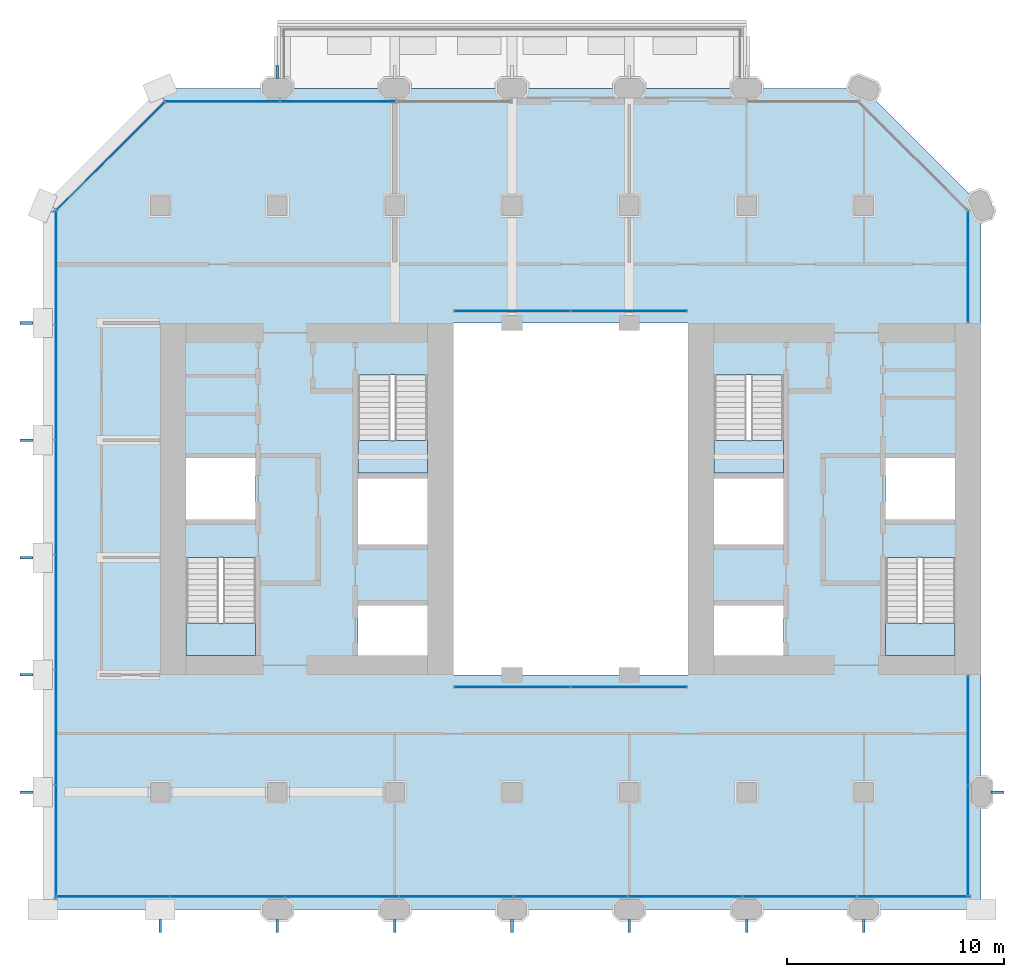
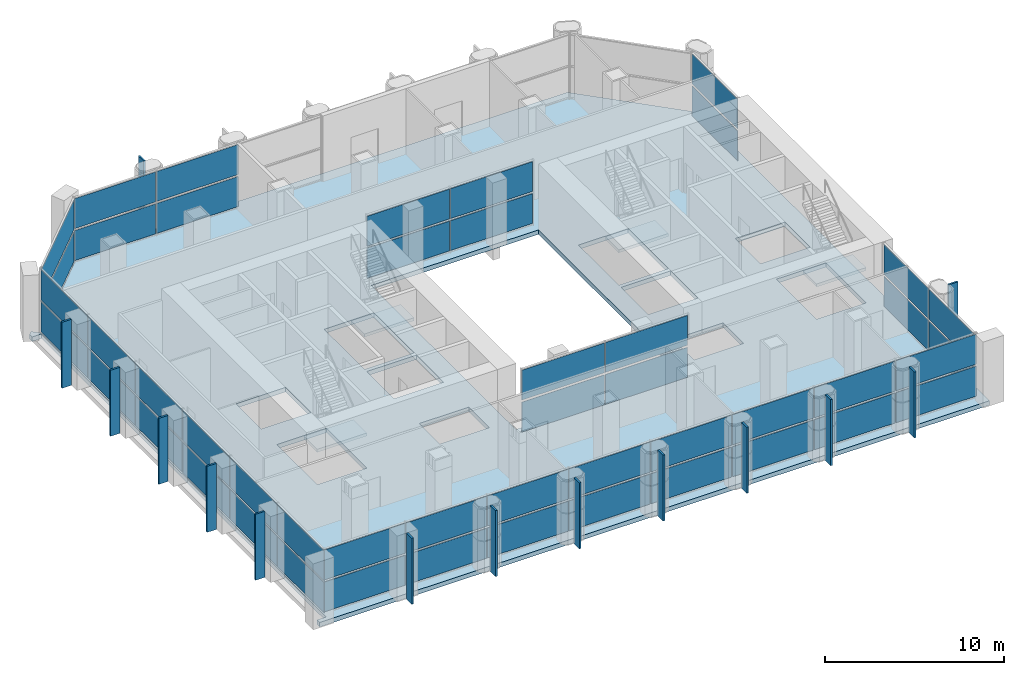
# One storey, part 9 of 15: 62 plates, 5 slabs, 12 elements without a shape of their own.
"""IFC4 building model written with IfcOpenShell, lengths in metres."""

from ifc_helpers import new_model, si_unit, direction, frame, origin, origin_2d, place, context, subcontext, project, spatial, polyline, rectangle, outline, extrude, material, layer, layer_set, type_object, element, aggregate, save


model = new_model("IFC4")

# Units and contexts
model_context = context("Model", 3, precision=1e-05, world=origin(), true_north=direction((0.0, 1.0)))
body_context = subcontext(model_context, "Body", "Model", "MODEL_VIEW")
ifc_project = project(units=[si_unit("LENGTHUNIT", "METRE"), si_unit("AREAUNIT", "SQUARE_METRE"), si_unit("VOLUMEUNIT", "CUBIC_METRE"), si_unit("PLANEANGLEUNIT", "RADIAN"), si_unit("MASSUNIT", "GRAM", prefix="KILO")], contexts=[model_context])

# Site, building, storey
site_placement = place(None, origin())
site = spatial("IfcSite", under=ifc_project, at=site_placement, CompositionType="ELEMENT")
building_placement = place(site_placement, origin())
building = spatial("IfcBuilding", under=site, at=building_placement, Name="Tabaq Tower and Sports Hall", CompositionType="ELEMENT")
storey_placement = place(building_placement, frame((0.0, 0.0, 138.39990234375)))
storey = spatial("IfcBuildingStorey", under=building, at=storey_placement, Name="L32", CompositionType="ELEMENT", Elevation=138.39990234375)

# Curtain wall, plates
ifc_material_1 = material(Name="Aluminium alloy 6063-T6 framed glazing", Category="aluminium")
curtain_wall_type_1 = type_object("IfcCurtainWallType", Name="CW1 curtain wall", PredefinedType="USERDEFINED", material=ifc_material_1)
curtain_wall_1_placement = place(storey_placement, origin())
curtain_wall_1 = element("IfcCurtainWall", 1, at=curtain_wall_1_placement, inside=storey, type_object=curtain_wall_type_1, Name="Atrium glazing L32 S", ObjectType="ATRIUM ENCLOSURE", PredefinedType="USERDEFINED")
ifc_material_2 = material(Name="Clear low-emissivity glass 28 mm", Category="glass")
ifc_layer_1 = layer(ifc_material_2, 0.028076171875)
ifc_layer_set_1 = layer_set([ifc_layer_1], Name="CW1 glass panel 28")
plate_type_1 = type_object("IfcPlateType", Name="CW1 glass panel 28", PredefinedType="CURTAIN_PANEL", material=ifc_layer_set_1)
plate_1_placement = place(storey_placement, frame((21.614990234375, 15.64990234375, 0.14013671875), z_axis=(0.0, 0.0, 1.0), x_axis=(1.0, 0.0, 0.0)))
plate_1 = element("IfcPlate", 2, at=plate_1_placement, type_object=plate_type_1, Name="CW1 panel 1.1", PredefinedType="CURTAIN_PANEL", context=body_context, shape_type="SweptSolid", body=[
    extrude(rectangle(XDim=5.31005859375, YDim=0.028076171875, at=origin_2d()), origin(), (0.0, 0.0, 1.0), 2.0400390625),
])
plate_2_placement = place(storey_placement, frame((21.614990234375, 15.64990234375, 2.320068359375), z_axis=(0.0, 0.0, 1.0), x_axis=(1.0, 0.0, 0.0)))
plate_2 = element("IfcPlate", 3, at=plate_2_placement, type_object=plate_type_1, Name="CW1 panel 1.2", PredefinedType="CURTAIN_PANEL", context=body_context, shape_type="SweptSolid", body=[
    extrude(rectangle(XDim=5.31005859375, YDim=0.028076171875, at=origin_2d()), origin(), (0.0, 0.0, 1.0), 2.0400390625),
])
plate_3_placement = place(storey_placement, frame((26.985107421875, 15.64990234375, 0.14013671875), z_axis=(0.0, 0.0, 1.0), x_axis=(1.0, 0.0, 0.0)))
plate_3 = element("IfcPlate", 4, at=plate_3_placement, type_object=plate_type_1, Name="CW1 panel 2.1", PredefinedType="CURTAIN_PANEL", context=body_context, shape_type="SweptSolid", body=[
    extrude(rectangle(XDim=5.31005859375, YDim=0.028076171875, at=origin_2d()), origin(), (0.0, 0.0, 1.0), 2.0400390625),
])
plate_4_placement = place(storey_placement, frame((26.985107421875, 15.64990234375, 2.320068359375), z_axis=(0.0, 0.0, 1.0), x_axis=(1.0, 0.0, 0.0)))
plate_4 = element("IfcPlate", 5, at=plate_4_placement, type_object=plate_type_1, Name="CW1 panel 2.2", PredefinedType="CURTAIN_PANEL", context=body_context, shape_type="SweptSolid", body=[
    extrude(rectangle(XDim=5.31005859375, YDim=0.028076171875, at=origin_2d()), origin(), (0.0, 0.0, 1.0), 2.0400390625),
])
aggregate(curtain_wall_1, [plate_1, plate_2, plate_3, plate_4])

curtain_wall_2_placement = place(storey_placement, origin())
curtain_wall_2 = element("IfcCurtainWall", 6, at=curtain_wall_2_placement, inside=storey, type_object=curtain_wall_type_1, Name="Atrium glazing L32 N", ObjectType="ATRIUM ENCLOSURE", PredefinedType="USERDEFINED")
plate_5_placement = place(storey_placement, frame((21.614990234375, 32.949951171875, 0.14013671875), z_axis=(0.0, 0.0, 1.0), x_axis=(1.0, 0.0, 0.0)))
plate_5 = element("IfcPlate", 7, at=plate_5_placement, type_object=plate_type_1, Name="CW1 panel 1.1", PredefinedType="CURTAIN_PANEL", context=body_context, shape_type="SweptSolid", body=[
    extrude(rectangle(XDim=5.31005859375, YDim=0.028076171875, at=origin_2d()), origin(), (0.0, 0.0, 1.0), 2.0400390625),
])
plate_6_placement = place(storey_placement, frame((21.614990234375, 32.949951171875, 2.320068359375), z_axis=(0.0, 0.0, 1.0), x_axis=(1.0, 0.0, 0.0)))
plate_6 = element("IfcPlate", 8, at=plate_6_placement, type_object=plate_type_1, Name="CW1 panel 1.2", PredefinedType="CURTAIN_PANEL", context=body_context, shape_type="SweptSolid", body=[
    extrude(rectangle(XDim=5.31005859375, YDim=0.028076171875, at=origin_2d()), origin(), (0.0, 0.0, 1.0), 2.0400390625),
])
plate_7_placement = place(storey_placement, frame((26.985107421875, 32.949951171875, 0.14013671875), z_axis=(0.0, 0.0, 1.0), x_axis=(1.0, 0.0, 0.0)))
plate_7 = element("IfcPlate", 9, at=plate_7_placement, type_object=plate_type_1, Name="CW1 panel 2.1", PredefinedType="CURTAIN_PANEL", context=body_context, shape_type="SweptSolid", body=[
    extrude(rectangle(XDim=5.31005859375, YDim=0.028076171875, at=origin_2d()), origin(), (0.0, 0.0, 1.0), 2.0400390625),
])
plate_8_placement = place(storey_placement, frame((26.985107421875, 32.949951171875, 2.320068359375), z_axis=(0.0, 0.0, 1.0), x_axis=(1.0, 0.0, 0.0)))
plate_8 = element("IfcPlate", 10, at=plate_8_placement, type_object=plate_type_1, Name="CW1 panel 2.2", PredefinedType="CURTAIN_PANEL", context=body_context, shape_type="SweptSolid", body=[
    extrude(rectangle(XDim=5.31005859375, YDim=0.028076171875, at=origin_2d()), origin(), (0.0, 0.0, 1.0), 2.0400390625),
])
aggregate(curtain_wall_2, [plate_5, plate_6, plate_7, plate_8])

ifc_material_3 = material(Name="Aluminium alloy 6063-T6 framed glazing", Category="aluminium")
curtain_wall_type_2 = type_object("IfcCurtainWallType", Name="CW3 curtain wall", PredefinedType="USERDEFINED", material=ifc_material_3)
curtain_wall_3_placement = place(storey_placement, origin())
curtain_wall_3 = element("IfcCurtainWall", 11, at=curtain_wall_3_placement, inside=storey, type_object=curtain_wall_type_2, Name="Garden Floor Wall L32 S", ObjectType="GARDEN FLOOR WALL", PredefinedType="USERDEFINED")
ifc_material_4 = material(Name="Clear low-emissivity glass 28 mm", Category="glass")
ifc_layer_2 = layer(ifc_material_4, 0.028076171875)
ifc_layer_set_2 = layer_set([ifc_layer_2], Name="CW3 glass panel 28")
plate_type_2 = type_object("IfcPlateType", Name="CW3 glass panel 28", PredefinedType="CURTAIN_PANEL", material=ifc_layer_set_2)
plate_9_placement = place(storey_placement, frame((3.249267578125, 6.0, 0.14013671875), z_axis=(0.0, 0.0, 1.0), x_axis=(1.0, 0.0, 0.0)))
plate_9 = element("IfcPlate", 12, at=plate_9_placement, type_object=plate_type_2, Name="CW3 panel 1.1", PredefinedType="CURTAIN_PANEL", context=body_context, shape_type="SweptSolid", body=[
    extrude(rectangle(XDim=5.1787109375, YDim=0.028076171875, at=origin_2d()), origin(), (0.0, 0.0, 1.0), 2.0400390625),
])
plate_10_placement = place(storey_placement, frame((3.249267578125, 6.0, 2.320068359375), z_axis=(0.0, 0.0, 1.0), x_axis=(1.0, 0.0, 0.0)))
plate_10 = element("IfcPlate", 13, at=plate_10_placement, type_object=plate_type_2, Name="CW3 panel 1.2", PredefinedType="CURTAIN_PANEL", context=body_context, shape_type="SweptSolid", body=[
    extrude(rectangle(XDim=5.1787109375, YDim=0.028076171875, at=origin_2d()), origin(), (0.0, 0.0, 1.0), 2.0400390625),
])
plate_11_placement = place(storey_placement, frame((8.503173828125, 6.0, 0.14013671875), z_axis=(0.0, 0.0, 1.0), x_axis=(1.0, 0.0, 0.0)))
plate_11 = element("IfcPlate", 14, at=plate_11_placement, type_object=plate_type_2, Name="CW3 panel 2.1", PredefinedType="CURTAIN_PANEL", context=body_context, shape_type="SweptSolid", body=[
    extrude(rectangle(XDim=5.208740234375, YDim=0.028076171875, at=origin_2d()), origin(), (0.0, 0.0, 1.0), 2.0400390625),
])
plate_12_placement = place(storey_placement, frame((8.503173828125, 6.0, 2.320068359375), z_axis=(0.0, 0.0, 1.0), x_axis=(1.0, 0.0, 0.0)))
plate_12 = element("IfcPlate", 15, at=plate_12_placement, type_object=plate_type_2, Name="CW3 panel 2.2", PredefinedType="CURTAIN_PANEL", context=body_context, shape_type="SweptSolid", body=[
    extrude(rectangle(XDim=5.208740234375, YDim=0.028076171875, at=origin_2d()), origin(), (0.0, 0.0, 1.0), 2.0400390625),
])
plate_13_placement = place(storey_placement, frame((13.77197265625, 6.0, 0.14013671875), z_axis=(0.0, 0.0, 1.0), x_axis=(1.0, 0.0, 0.0)))
plate_13 = element("IfcPlate", 16, at=plate_13_placement, type_object=plate_type_2, Name="CW3 panel 3.1", PredefinedType="CURTAIN_PANEL", context=body_context, shape_type="SweptSolid", body=[
    extrude(rectangle(XDim=5.208740234375, YDim=0.028076171875, at=origin_2d()), origin(), (0.0, 0.0, 1.0), 2.0400390625),
])
plate_14_placement = place(storey_placement, frame((13.77197265625, 6.0, 2.320068359375), z_axis=(0.0, 0.0, 1.0), x_axis=(1.0, 0.0, 0.0)))
plate_14 = element("IfcPlate", 17, at=plate_14_placement, type_object=plate_type_2, Name="CW3 panel 3.2", PredefinedType="CURTAIN_PANEL", context=body_context, shape_type="SweptSolid", body=[
    extrude(rectangle(XDim=5.208740234375, YDim=0.028076171875, at=origin_2d()), origin(), (0.0, 0.0, 1.0), 2.0400390625),
])
plate_15_placement = place(storey_placement, frame((19.04052734375, 6.0, 0.14013671875), z_axis=(0.0, 0.0, 1.0), x_axis=(1.0, 0.0, 0.0)))
plate_15 = element("IfcPlate", 18, at=plate_15_placement, type_object=plate_type_2, Name="CW3 panel 4.1", PredefinedType="CURTAIN_PANEL", context=body_context, shape_type="SweptSolid", body=[
    extrude(rectangle(XDim=5.208740234375, YDim=0.028076171875, at=origin_2d()), origin(), (0.0, 0.0, 1.0), 2.0400390625),
])
plate_16_placement = place(storey_placement, frame((19.04052734375, 6.0, 2.320068359375), z_axis=(0.0, 0.0, 1.0), x_axis=(1.0, 0.0, 0.0)))
plate_16 = element("IfcPlate", 19, at=plate_16_placement, type_object=plate_type_2, Name="CW3 panel 4.2", PredefinedType="CURTAIN_PANEL", context=body_context, shape_type="SweptSolid", body=[
    extrude(rectangle(XDim=5.208740234375, YDim=0.028076171875, at=origin_2d()), origin(), (0.0, 0.0, 1.0), 2.0400390625),
])
plate_17_placement = place(storey_placement, frame((24.309326171875, 6.0, 0.14013671875), z_axis=(0.0, 0.0, 1.0), x_axis=(1.0, 0.0, 0.0)))
plate_17 = element("IfcPlate", 20, at=plate_17_placement, type_object=plate_type_2, Name="CW3 panel 5.1", PredefinedType="CURTAIN_PANEL", context=body_context, shape_type="SweptSolid", body=[
    extrude(rectangle(XDim=5.208740234375, YDim=0.028076171875, at=origin_2d()), origin(), (0.0, 0.0, 1.0), 2.0400390625),
])
plate_18_placement = place(storey_placement, frame((24.309326171875, 6.0, 2.320068359375), z_axis=(0.0, 0.0, 1.0), x_axis=(1.0, 0.0, 0.0)))
plate_18 = element("IfcPlate", 21, at=plate_18_placement, type_object=plate_type_2, Name="CW3 panel 5.2", PredefinedType="CURTAIN_PANEL", context=body_context, shape_type="SweptSolid", body=[
    extrude(rectangle(XDim=5.208740234375, YDim=0.028076171875, at=origin_2d()), origin(), (0.0, 0.0, 1.0), 2.0400390625),
])
plate_19_placement = place(storey_placement, frame((29.578125, 6.0, 0.14013671875), z_axis=(0.0, 0.0, 1.0), x_axis=(1.0, 0.0, 0.0)))
plate_19 = element("IfcPlate", 22, at=plate_19_placement, type_object=plate_type_2, Name="CW3 panel 6.1", PredefinedType="CURTAIN_PANEL", context=body_context, shape_type="SweptSolid", body=[
    extrude(rectangle(XDim=5.208740234375, YDim=0.028076171875, at=origin_2d()), origin(), (0.0, 0.0, 1.0), 2.0400390625),
])
plate_20_placement = place(storey_placement, frame((29.578125, 6.0, 2.320068359375), z_axis=(0.0, 0.0, 1.0), x_axis=(1.0, 0.0, 0.0)))
plate_20 = element("IfcPlate", 23, at=plate_20_placement, type_object=plate_type_2, Name="CW3 panel 6.2", PredefinedType="CURTAIN_PANEL", context=body_context, shape_type="SweptSolid", body=[
    extrude(rectangle(XDim=5.208740234375, YDim=0.028076171875, at=origin_2d()), origin(), (0.0, 0.0, 1.0), 2.0400390625),
])
plate_21_placement = place(storey_placement, frame((34.846923828125, 6.0, 0.14013671875), z_axis=(0.0, 0.0, 1.0), x_axis=(1.0, 0.0, 0.0)))
plate_21 = element("IfcPlate", 24, at=plate_21_placement, type_object=plate_type_2, Name="CW3 panel 7.1", PredefinedType="CURTAIN_PANEL", context=body_context, shape_type="SweptSolid", body=[
    extrude(rectangle(XDim=5.208740234375, YDim=0.028076171875, at=origin_2d()), origin(), (0.0, 0.0, 1.0), 2.0400390625),
])
plate_22_placement = place(storey_placement, frame((34.846923828125, 6.0, 2.320068359375), z_axis=(0.0, 0.0, 1.0), x_axis=(1.0, 0.0, 0.0)))
plate_22 = element("IfcPlate", 25, at=plate_22_placement, type_object=plate_type_2, Name="CW3 panel 7.2", PredefinedType="CURTAIN_PANEL", context=body_context, shape_type="SweptSolid", body=[
    extrude(rectangle(XDim=5.208740234375, YDim=0.028076171875, at=origin_2d()), origin(), (0.0, 0.0, 1.0), 2.0400390625),
])
plate_23_placement = place(storey_placement, frame((40.1005859375, 6.0, 0.14013671875), z_axis=(0.0, 0.0, 1.0), x_axis=(1.0, 0.0, 0.0)))
plate_23 = element("IfcPlate", 26, at=plate_23_placement, type_object=plate_type_2, Name="CW3 panel 8.1", PredefinedType="CURTAIN_PANEL", context=body_context, shape_type="SweptSolid", body=[
    extrude(rectangle(XDim=5.1787109375, YDim=0.028076171875, at=origin_2d()), origin(), (0.0, 0.0, 1.0), 2.0400390625),
])
plate_24_placement = place(storey_placement, frame((40.1005859375, 6.0, 2.320068359375), z_axis=(0.0, 0.0, 1.0), x_axis=(1.0, 0.0, 0.0)))
plate_24 = element("IfcPlate", 27, at=plate_24_placement, type_object=plate_type_2, Name="CW3 panel 8.2", PredefinedType="CURTAIN_PANEL", context=body_context, shape_type="SweptSolid", body=[
    extrude(rectangle(XDim=5.1787109375, YDim=0.028076171875, at=origin_2d()), origin(), (0.0, 0.0, 1.0), 2.0400390625),
])
aggregate(curtain_wall_3, [plate_9, plate_10, plate_11, plate_12, plate_13, plate_14, plate_15, plate_16, plate_17, plate_18, plate_19, plate_20, plate_21, plate_22, plate_23, plate_24])

curtain_wall_4_placement = place(storey_placement, origin())
curtain_wall_4 = element("IfcCurtainWall", 28, at=curtain_wall_4_placement, inside=storey, type_object=curtain_wall_type_2, Name="Garden Floor Wall L32 E", ObjectType="GARDEN FLOOR WALL", PredefinedType="USERDEFINED")
plate_25_placement = place(storey_placement, frame((42.60009765625, 8.56494140625, 0.14013671875), z_axis=(0.0, 0.0, 1.0), x_axis=(0.0, 1.0, 0.0)))
plate_25 = element("IfcPlate", 29, at=plate_25_placement, type_object=plate_type_2, Name="CW3 panel 1.1", PredefinedType="CURTAIN_PANEL", context=body_context, shape_type="SweptSolid", body=[
    extrude(rectangle(XDim=5.010009765625, YDim=0.028076171875, at=origin_2d()), origin(), (0.0, 0.0, 1.0), 2.0400390625),
])
plate_26_placement = place(storey_placement, frame((42.60009765625, 8.56494140625, 2.320068359375), z_axis=(0.0, 0.0, 1.0), x_axis=(0.0, 1.0, 0.0)))
plate_26 = element("IfcPlate", 30, at=plate_26_placement, type_object=plate_type_2, Name="CW3 panel 1.2", PredefinedType="CURTAIN_PANEL", context=body_context, shape_type="SweptSolid", body=[
    extrude(rectangle(XDim=5.010009765625, YDim=0.028076171875, at=origin_2d()), origin(), (0.0, 0.0, 1.0), 2.0400390625),
])
plate_27_placement = place(storey_placement, frame((42.60009765625, 13.635009765625, 0.14013671875), z_axis=(0.0, 0.0, 1.0), x_axis=(0.0, 1.0, 0.0)))
plate_27 = element("IfcPlate", 31, at=plate_27_placement, type_object=plate_type_2, Name="CW3 panel 2.1", PredefinedType="CURTAIN_PANEL", context=body_context, shape_type="SweptSolid", body=[
    extrude(rectangle(XDim=5.010009765625, YDim=0.028076171875, at=origin_2d()), origin(), (0.0, 0.0, 1.0), 2.0400390625),
])
plate_28_placement = place(storey_placement, frame((42.60009765625, 13.635009765625, 2.320068359375), z_axis=(0.0, 0.0, 1.0), x_axis=(0.0, 1.0, 0.0)))
plate_28 = element("IfcPlate", 32, at=plate_28_placement, type_object=plate_type_2, Name="CW3 panel 2.2", PredefinedType="CURTAIN_PANEL", context=body_context, shape_type="SweptSolid", body=[
    extrude(rectangle(XDim=5.010009765625, YDim=0.028076171875, at=origin_2d()), origin(), (0.0, 0.0, 1.0), 2.0400390625),
])
aggregate(curtain_wall_4, [plate_25, plate_26, plate_27, plate_28])

curtain_wall_5_placement = place(storey_placement, origin())
curtain_wall_5 = element("IfcCurtainWall", 33, at=curtain_wall_5_placement, inside=storey, type_object=curtain_wall_type_2, Name="Garden Floor Wall L32 E", ObjectType="GARDEN FLOOR WALL", PredefinedType="USERDEFINED")
plate_29_placement = place(storey_placement, frame((42.60009765625, 35.0068359375, 0.14013671875), z_axis=(0.0, 0.0, 1.0), x_axis=(0.0, 1.0, 0.0)))
plate_29 = element("IfcPlate", 34, at=plate_29_placement, type_object=plate_type_2, Name="CW3 panel 1.1", PredefinedType="CURTAIN_PANEL", context=body_context, shape_type="SweptSolid", body=[
    extrude(rectangle(XDim=5.093505859375, YDim=0.028076171875, at=origin_2d()), origin(), (0.0, 0.0, 1.0), 2.0400390625),
])
plate_30_placement = place(storey_placement, frame((42.60009765625, 35.0068359375, 2.320068359375), z_axis=(0.0, 0.0, 1.0), x_axis=(0.0, 1.0, 0.0)))
plate_30 = element("IfcPlate", 35, at=plate_30_placement, type_object=plate_type_2, Name="CW3 panel 1.2", PredefinedType="CURTAIN_PANEL", context=body_context, shape_type="SweptSolid", body=[
    extrude(rectangle(XDim=5.093505859375, YDim=0.028076171875, at=origin_2d()), origin(), (0.0, 0.0, 1.0), 2.0400390625),
])
aggregate(curtain_wall_5, [plate_29, plate_30])

curtain_wall_6_placement = place(storey_placement, origin())
curtain_wall_6 = element("IfcCurtainWall", 36, at=curtain_wall_6_placement, inside=storey, type_object=curtain_wall_type_2, Name="Garden Floor Wall L32 N", ObjectType="GARDEN FLOOR WALL", PredefinedType="USERDEFINED")
plate_31_placement = place(storey_placement, frame((13.59326171875, 42.60009765625, 0.14013671875), z_axis=(0.0, 0.0, 1.0), x_axis=(-1.0, 0.0, 0.0)))
plate_31 = element("IfcPlate", 37, at=plate_31_placement, type_object=plate_type_2, Name="CW3 panel 2.1", PredefinedType="CURTAIN_PANEL", context=body_context, shape_type="SweptSolid", body=[
    extrude(rectangle(XDim=5.27783203125, YDim=0.028076171875, at=origin_2d()), origin(), (0.0, 0.0, 1.0), 2.0400390625),
])
plate_32_placement = place(storey_placement, frame((13.59326171875, 42.60009765625, 2.320068359375), z_axis=(0.0, 0.0, 1.0), x_axis=(-1.0, 0.0, 0.0)))
plate_32 = element("IfcPlate", 38, at=plate_32_placement, type_object=plate_type_2, Name="CW3 panel 2.2", PredefinedType="CURTAIN_PANEL", context=body_context, shape_type="SweptSolid", body=[
    extrude(rectangle(XDim=5.27783203125, YDim=0.028076171875, at=origin_2d()), origin(), (0.0, 0.0, 1.0), 2.0400390625),
])
plate_33_placement = place(storey_placement, frame((8.270263671875, 42.60009765625, 0.14013671875), z_axis=(0.0, 0.0, 1.0), x_axis=(-1.0, 0.0, 0.0)))
plate_33 = element("IfcPlate", 39, at=plate_33_placement, type_object=plate_type_2, Name="CW3 panel 3.1", PredefinedType="CURTAIN_PANEL", context=body_context, shape_type="SweptSolid", body=[
    extrude(rectangle(XDim=5.247802734375, YDim=0.028076171875, at=origin_2d()), origin(), (0.0, 0.0, 1.0), 2.0400390625),
])
plate_34_placement = place(storey_placement, frame((8.270263671875, 42.60009765625, 2.320068359375), z_axis=(0.0, 0.0, 1.0), x_axis=(-1.0, 0.0, 0.0)))
plate_34 = element("IfcPlate", 40, at=plate_34_placement, type_object=plate_type_2, Name="CW3 panel 3.2", PredefinedType="CURTAIN_PANEL", context=body_context, shape_type="SweptSolid", body=[
    extrude(rectangle(XDim=5.247802734375, YDim=0.028076171875, at=origin_2d()), origin(), (0.0, 0.0, 1.0), 2.0400390625),
])
aggregate(curtain_wall_6, [plate_31, plate_32, plate_33, plate_34])

curtain_wall_7_placement = place(storey_placement, origin())
curtain_wall_7 = element("IfcCurtainWall", 41, at=curtain_wall_7_placement, inside=storey, type_object=curtain_wall_type_2, Name="Garden Floor Wall L32 NW", ObjectType="GARDEN FLOOR WALL", PredefinedType="USERDEFINED")
plate_35_placement = place(storey_placement, frame((3.124267578125, 40.07568359375, 0.14013671875), z_axis=(0.0, 0.0, 1.0), x_axis=(-0.707106781187, -0.707106781187, 0.0)))
plate_35 = element("IfcPlate", 42, at=plate_35_placement, type_object=plate_type_2, Name="CW3 panel 1.1", PredefinedType="CURTAIN_PANEL", context=body_context, shape_type="SweptSolid", body=[
    extrude(rectangle(XDim=7.019775390625, YDim=0.028076171875, at=origin_2d()), origin(), (0.0, 0.0, 1.0), 2.0400390625),
])
plate_36_placement = place(storey_placement, frame((3.124267578125, 40.07568359375, 2.320068359375), z_axis=(0.0, 0.0, 1.0), x_axis=(-0.707106781187, -0.707106781187, 0.0)))
plate_36 = element("IfcPlate", 43, at=plate_36_placement, type_object=plate_type_2, Name="CW3 panel 1.2", PredefinedType="CURTAIN_PANEL", context=body_context, shape_type="SweptSolid", body=[
    extrude(rectangle(XDim=7.019775390625, YDim=0.028076171875, at=origin_2d()), origin(), (0.0, 0.0, 1.0), 2.0400390625),
])
aggregate(curtain_wall_7, [plate_35, plate_36])

curtain_wall_8_placement = place(storey_placement, origin())
curtain_wall_8 = element("IfcCurtainWall", 44, at=curtain_wall_8_placement, inside=storey, type_object=curtain_wall_type_2, Name="Garden Floor Wall L32 W", ObjectType="GARDEN FLOOR WALL", PredefinedType="USERDEFINED")
plate_37_placement = place(storey_placement, frame((0.60009765625, 34.95166015625, 0.14013671875), z_axis=(0.0, 0.0, 1.0), x_axis=(0.0, -1.0, 0.0)))
plate_37 = element("IfcPlate", 45, at=plate_37_placement, type_object=plate_type_2, Name="CW3 panel 1.1", PredefinedType="CURTAIN_PANEL", context=body_context, shape_type="SweptSolid", body=[
    extrude(rectangle(XDim=5.203857421875, YDim=0.028076171875, at=origin_2d()), origin(), (0.0, 0.0, 1.0), 2.0400390625),
])
plate_38_placement = place(storey_placement, frame((0.60009765625, 34.95166015625, 2.320068359375), z_axis=(0.0, 0.0, 1.0), x_axis=(0.0, -1.0, 0.0)))
plate_38 = element("IfcPlate", 46, at=plate_38_placement, type_object=plate_type_2, Name="CW3 panel 1.2", PredefinedType="CURTAIN_PANEL", context=body_context, shape_type="SweptSolid", body=[
    extrude(rectangle(XDim=5.203857421875, YDim=0.028076171875, at=origin_2d()), origin(), (0.0, 0.0, 1.0), 2.0400390625),
])
plate_39_placement = place(storey_placement, frame((0.60009765625, 29.672607421875, 0.14013671875), z_axis=(0.0, 0.0, 1.0), x_axis=(0.0, -1.0, 0.0)))
plate_39 = element("IfcPlate", 47, at=plate_39_placement, type_object=plate_type_2, Name="CW3 panel 2.1", PredefinedType="CURTAIN_PANEL", context=body_context, shape_type="SweptSolid", body=[
    extrude(rectangle(XDim=5.23388671875, YDim=0.028076171875, at=origin_2d()), origin(), (0.0, 0.0, 1.0), 2.0400390625),
])
plate_40_placement = place(storey_placement, frame((0.60009765625, 29.672607421875, 2.320068359375), z_axis=(0.0, 0.0, 1.0), x_axis=(0.0, -1.0, 0.0)))
plate_40 = element("IfcPlate", 48, at=plate_40_placement, type_object=plate_type_2, Name="CW3 panel 2.2", PredefinedType="CURTAIN_PANEL", context=body_context, shape_type="SweptSolid", body=[
    extrude(rectangle(XDim=5.23388671875, YDim=0.028076171875, at=origin_2d()), origin(), (0.0, 0.0, 1.0), 2.0400390625),
])
plate_41_placement = place(storey_placement, frame((0.60009765625, 24.378662109375, 0.14013671875), z_axis=(0.0, 0.0, 1.0), x_axis=(0.0, -1.0, 0.0)))
plate_41 = element("IfcPlate", 49, at=plate_41_placement, type_object=plate_type_2, Name="CW3 panel 3.1", PredefinedType="CURTAIN_PANEL", context=body_context, shape_type="SweptSolid", body=[
    extrude(rectangle(XDim=5.23388671875, YDim=0.028076171875, at=origin_2d()), origin(), (0.0, 0.0, 1.0), 2.0400390625),
])
plate_42_placement = place(storey_placement, frame((0.60009765625, 24.378662109375, 2.320068359375), z_axis=(0.0, 0.0, 1.0), x_axis=(0.0, -1.0, 0.0)))
plate_42 = element("IfcPlate", 50, at=plate_42_placement, type_object=plate_type_2, Name="CW3 panel 3.2", PredefinedType="CURTAIN_PANEL", context=body_context, shape_type="SweptSolid", body=[
    extrude(rectangle(XDim=5.23388671875, YDim=0.028076171875, at=origin_2d()), origin(), (0.0, 0.0, 1.0), 2.0400390625),
])
plate_43_placement = place(storey_placement, frame((0.60009765625, 19.084716796875, 0.14013671875), z_axis=(0.0, 0.0, 1.0), x_axis=(0.0, -1.0, 0.0)))
plate_43 = element("IfcPlate", 51, at=plate_43_placement, type_object=plate_type_2, Name="CW3 panel 4.1", PredefinedType="CURTAIN_PANEL", context=body_context, shape_type="SweptSolid", body=[
    extrude(rectangle(XDim=5.23388671875, YDim=0.028076171875, at=origin_2d()), origin(), (0.0, 0.0, 1.0), 2.0400390625),
])
plate_44_placement = place(storey_placement, frame((0.60009765625, 19.084716796875, 2.320068359375), z_axis=(0.0, 0.0, 1.0), x_axis=(0.0, -1.0, 0.0)))
plate_44 = element("IfcPlate", 52, at=plate_44_placement, type_object=plate_type_2, Name="CW3 panel 4.2", PredefinedType="CURTAIN_PANEL", context=body_context, shape_type="SweptSolid", body=[
    extrude(rectangle(XDim=5.23388671875, YDim=0.028076171875, at=origin_2d()), origin(), (0.0, 0.0, 1.0), 2.0400390625),
])
plate_45_placement = place(storey_placement, frame((0.60009765625, 13.791015625, 0.14013671875), z_axis=(0.0, 0.0, 1.0), x_axis=(0.0, -1.0, 0.0)))
plate_45 = element("IfcPlate", 53, at=plate_45_placement, type_object=plate_type_2, Name="CW3 panel 5.1", PredefinedType="CURTAIN_PANEL", context=body_context, shape_type="SweptSolid", body=[
    extrude(rectangle(XDim=5.23388671875, YDim=0.028076171875, at=origin_2d()), origin(), (0.0, 0.0, 1.0), 2.0400390625),
])
plate_46_placement = place(storey_placement, frame((0.60009765625, 13.791015625, 2.320068359375), z_axis=(0.0, 0.0, 1.0), x_axis=(0.0, -1.0, 0.0)))
plate_46 = element("IfcPlate", 54, at=plate_46_placement, type_object=plate_type_2, Name="CW3 panel 5.2", PredefinedType="CURTAIN_PANEL", context=body_context, shape_type="SweptSolid", body=[
    extrude(rectangle(XDim=5.23388671875, YDim=0.028076171875, at=origin_2d()), origin(), (0.0, 0.0, 1.0), 2.0400390625),
])
plate_47_placement = place(storey_placement, frame((0.60009765625, 8.511962890625, 0.14013671875), z_axis=(0.0, 0.0, 1.0), x_axis=(0.0, -1.0, 0.0)))
plate_47 = element("IfcPlate", 55, at=plate_47_placement, type_object=plate_type_2, Name="CW3 panel 6.1", PredefinedType="CURTAIN_PANEL", context=body_context, shape_type="SweptSolid", body=[
    extrude(rectangle(XDim=5.203857421875, YDim=0.028076171875, at=origin_2d()), origin(), (0.0, 0.0, 1.0), 2.0400390625),
])
plate_48_placement = place(storey_placement, frame((0.60009765625, 8.511962890625, 2.320068359375), z_axis=(0.0, 0.0, 1.0), x_axis=(0.0, -1.0, 0.0)))
plate_48 = element("IfcPlate", 56, at=plate_48_placement, type_object=plate_type_2, Name="CW3 panel 6.2", PredefinedType="CURTAIN_PANEL", context=body_context, shape_type="SweptSolid", body=[
    extrude(rectangle(XDim=5.203857421875, YDim=0.028076171875, at=origin_2d()), origin(), (0.0, 0.0, 1.0), 2.0400390625),
])
aggregate(curtain_wall_8, [plate_37, plate_38, plate_39, plate_40, plate_41, plate_42, plate_43, plate_44, plate_45, plate_46, plate_47, plate_48])

# Stair, slab
ifc_material_5 = material(Name="Concrete C40/50", Category="concrete")
stair_type = type_object("IfcStairType", Name="Exit stair", PredefinedType="HALF_TURN_STAIR", material=ifc_material_5)
stair_1_placement = place(storey_placement, origin())
stair_1 = element("IfcStair", 57, at=stair_1_placement, inside=storey, type_object=stair_type, Name="L32 Exit stair ST1", PredefinedType="HALF_TURN_STAIR")
ifc_material_6 = material(Name="Concrete C40/50", Category="concrete")
ifc_layer_3 = layer(ifc_material_6, 0.199951171875)
ifc_layer_set_3 = layer_set([ifc_layer_3], Name="Exit stair landing")
slab_type_1 = type_object("IfcSlabType", Name="Exit stair landing", PredefinedType="LANDING", material=ifc_layer_set_3)
slab_1_placement = place(storey_placement, frame((0.0, 0.0, 2.2001953125)))
slab_1 = element("IfcSlab", 58, at=slab_1_placement, type_object=slab_type_1, Name="ST1 landing 1", PredefinedType="LANDING", context=body_context, shape_type="SweptSolid", body=[
    extrude(outline(polyline([(6.60009765625, 18.60009765625), (6.60009765625, 17.10009765625), (9.800048828125, 17.10009765625), (9.800048828125, 18.60009765625), (6.60009765625, 18.60009765625)])), origin(), (0.0, 0.0, 1.0), 0.199951171875),
])
aggregate(stair_1, [slab_1])

stair_2_placement = place(storey_placement, origin())
stair_2 = element("IfcStair", 59, at=stair_2_placement, inside=storey, type_object=stair_type, Name="L32 Exit stair ST2", PredefinedType="HALF_TURN_STAIR")
slab_2_placement = place(storey_placement, frame((0.0, 0.0, 2.2001953125)))
slab_2 = element("IfcSlab", 60, at=slab_2_placement, type_object=slab_type_1, Name="ST2 landing 1", PredefinedType="LANDING", context=body_context, shape_type="SweptSolid", body=[
    extrude(outline(polyline([(14.5, 27.0), (14.5, 25.5), (17.699951171875, 25.5), (17.699951171875, 27.0), (14.5, 27.0)])), origin(), (0.0, 0.0, 1.0), 0.199951171875),
])
aggregate(stair_2, [slab_2])

stair_3_placement = place(storey_placement, origin())
stair_3 = element("IfcStair", 61, at=stair_3_placement, inside=storey, type_object=stair_type, Name="L32 Exit stair ST3", PredefinedType="HALF_TURN_STAIR")
slab_3_placement = place(storey_placement, frame((0.0, 0.0, 2.2001953125)))
slab_3 = element("IfcSlab", 62, at=slab_3_placement, type_object=slab_type_1, Name="ST3 landing 1", PredefinedType="LANDING", context=body_context, shape_type="SweptSolid", body=[
    extrude(outline(polyline([(38.800048828125, 18.60009765625), (38.800048828125, 17.10009765625), (42.0, 17.10009765625), (42.0, 18.60009765625), (38.800048828125, 18.60009765625)])), origin(), (0.0, 0.0, 1.0), 0.199951171875),
])
aggregate(stair_3, [slab_3])

stair_4_placement = place(storey_placement, origin())
stair_4 = element("IfcStair", 63, at=stair_4_placement, inside=storey, type_object=stair_type, Name="L32 Exit stair ST4", PredefinedType="HALF_TURN_STAIR")
slab_4_placement = place(storey_placement, frame((0.0, 0.0, 2.2001953125)))
slab_4 = element("IfcSlab", 64, at=slab_4_placement, type_object=slab_type_1, Name="ST4 landing 1", PredefinedType="LANDING", context=body_context, shape_type="SweptSolid", body=[
    extrude(outline(polyline([(30.89990234375, 27.0), (30.89990234375, 25.5), (34.10009765625, 25.5), (34.10009765625, 27.0), (30.89990234375, 27.0)])), origin(), (0.0, 0.0, 1.0), 0.199951171875),
])
aggregate(stair_4, [slab_4])

# Slab
ifc_material_7 = material(Name="Concrete C40/50", Category="concrete")
ifc_layer_4 = layer(ifc_material_7, 0.300048828125)
ifc_layer_set_4 = layer_set([ifc_layer_4], Name="PT FLOOR SLAB 300 C40/50")
slab_type_2 = type_object("IfcSlabType", Name="PT FLOOR SLAB 300 C40/50", PredefinedType="FLOOR", material=ifc_layer_set_4)
slab_5_placement = place(storey_placement, frame((0.0, 0.0, -0.2998046875)))
element("IfcSlab", 65, at=slab_5_placement, inside=storey, type_object=slab_type_2, Name="Floor Slab L32", PredefinedType="FLOOR", context=body_context, shape_type="SweptSolid", body=[
    extrude(outline(polyline([(37.800048828125, 43.199951171875), (5.39990234375, 43.199951171875), (5.22314453125, 43.023193359375), (5.57666015625, 42.669677734375), (5.6474609375, 42.598876953125), (0.63525390625, 37.5869140625), (0.211181640625, 38.010986328125), (0.0, 37.800048828125), (0.0, 37.50146484375), (0.5, 37.50146484375), (0.60009765625, 37.50146484375), (0.60009765625, 5.68994140625), (0.5, 5.68994140625), (0.0, 5.68994140625), (0.0, 5.39990234375), (43.199951171875, 5.39990234375), (43.199951171875, 37.800048828125), (37.800048828125, 43.199951171875)]), holes=[polyline([(14.5, 19.39990234375), (17.699951171875, 19.39990234375), (17.699951171875, 17.10009765625), (14.5, 17.10009765625), (14.5, 19.39990234375)]), polyline([(6.60009765625, 21.599365234375), (9.800048828125, 21.599365234375), (9.800048828125, 17.10009765625), (6.60009765625, 17.10009765625), (6.60009765625, 21.599365234375)]), polyline([(14.5, 25.25), (17.699951171875, 25.25), (17.699951171875, 22.199951171875), (14.5, 22.199951171875), (14.5, 25.25)]), polyline([(18.89990234375, 32.39990234375), (29.699951171875, 32.39990234375), (29.699951171875, 16.199951171875), (18.89990234375, 16.199951171875), (18.89990234375, 32.39990234375)]), polyline([(9.800048828125, 26.175048828125), (9.800048828125, 23.35009765625), (6.60009765625, 23.35009765625), (6.60009765625, 26.175048828125), (9.800048828125, 26.175048828125)]), polyline([(14.5, 29.99951171875), (17.699951171875, 29.99951171875), (17.699951171875, 25.5), (14.5, 25.5), (14.5, 29.99951171875)]), polyline([(34.10009765625, 19.39990234375), (34.10009765625, 17.10009765625), (30.89990234375, 17.10009765625), (30.89990234375, 19.39990234375), (34.10009765625, 19.39990234375)]), polyline([(42.0, 21.599365234375), (42.0, 17.10009765625), (38.800048828125, 17.10009765625), (38.800048828125, 21.599365234375), (42.0, 21.599365234375)]), polyline([(30.89990234375, 25.25), (34.10009765625, 25.25), (34.10009765625, 22.199951171875), (30.89990234375, 22.199951171875), (30.89990234375, 25.25)]), polyline([(42.0, 26.175048828125), (42.0, 23.35009765625), (38.800048828125, 23.35009765625), (38.800048828125, 26.175048828125), (42.0, 26.175048828125)]), polyline([(34.10009765625, 29.99951171875), (34.10009765625, 25.5), (30.89990234375, 25.5), (30.89990234375, 29.99951171875), (34.10009765625, 29.99951171875)])]), origin(), (0.0, 0.0, 1.0), 0.2998046875),
])

# Plates
ifc_material_8 = material(Name="White precast concrete C60/75 fin", Category="concrete")
ifc_layer_5 = layer(ifc_material_8, 0.1201171875)
ifc_layer_set_5 = layer_set([ifc_layer_5], Name="White precast concrete C60/75 fin 120")
plate_type_3 = type_object("IfcPlateType", Name="White precast concrete C60/75 fin 120", PredefinedType="USERDEFINED", material=ifc_layer_set_5)
for number, where, z_axis, x_axis, name in (
    (66, (5.39990234375, 4.64990234375, 0.0), (0.0, 0.0, 1.0), (1.0, 0.0, 0.0), "Fin L32 S"),
    (67, (10.800048828125, 4.64990234375, 0.0), (0.0, 0.0, 1.0), (1.0, 0.0, 0.0), "Fin L32 S"),
    (68, (16.199951171875, 4.64990234375, 0.0), (0.0, 0.0, 1.0), (1.0, 0.0, 0.0), "Fin L32 S"),
    (69, (21.60009765625, 4.64990234375, 0.0), (0.0, 0.0, 1.0), (1.0, 0.0, 0.0), "Fin L32 S"),
    (70, (27.0, 4.64990234375, 0.0), (0.0, 0.0, 1.0), (1.0, 0.0, 0.0), "Fin L32 S"),
    (71, (32.39990234375, 4.64990234375, 0.0), (0.0, 0.0, 1.0), (1.0, 0.0, 0.0), "Fin L32 S"),
    (72, (37.800048828125, 4.64990234375, 0.0), (0.0, 0.0, 1.0), (1.0, 0.0, 0.0), "Fin L32 S"),
    (73, (43.949951171875, 10.800048828125, 0.0), (0.0, 0.0, 1.0), (0.0, 1.0, 0.0), "Fin L32 E"),
    (74, (10.800048828125, 43.949951171875, 0.0), (0.0, 0.0, 1.0), (-1.0, 0.0, 0.0), "Fin L32 N"),
    (75, (-0.75, 32.39990234375, 0.0), (0.0, 0.0, 1.0), (0.0, -1.0, 0.0), "Fin L32 W"),
    (76, (-0.75, 27.0, 0.0), (0.0, 0.0, 1.0), (0.0, -1.0, 0.0), "Fin L32 W"),
    (77, (-0.75, 21.60009765625, 0.0), (0.0, 0.0, 1.0), (0.0, -1.0, 0.0), "Fin L32 W"),
    (78, (-0.75, 16.199951171875, 0.0), (0.0, 0.0, 1.0), (0.0, -1.0, 0.0), "Fin L32 W"),
    (79, (-0.75, 10.800048828125, 0.0), (0.0, 0.0, 1.0), (0.0, -1.0, 0.0), "Fin L32 W"),
):
    element("IfcPlate", number, at=place(storey_placement, frame(where, z_axis=z_axis, x_axis=x_axis)), inside=storey, type_object=plate_type_3, Name=name, ObjectType="FIN", PredefinedType="USERDEFINED", context=body_context, shape_type="SweptSolid", body=[
        extrude(rectangle(XDim=0.1201171875, YDim=0.60009765625, at=origin_2d()), origin(), (0.0, 0.0, 1.0), 4.5),
    ])

save(model, "model.ifc")
